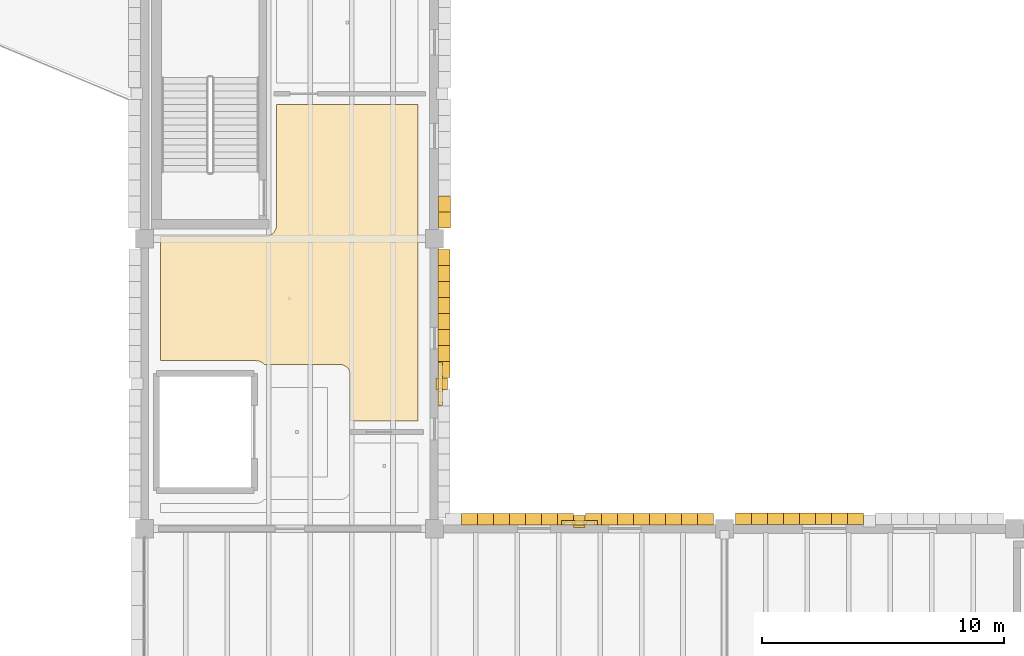
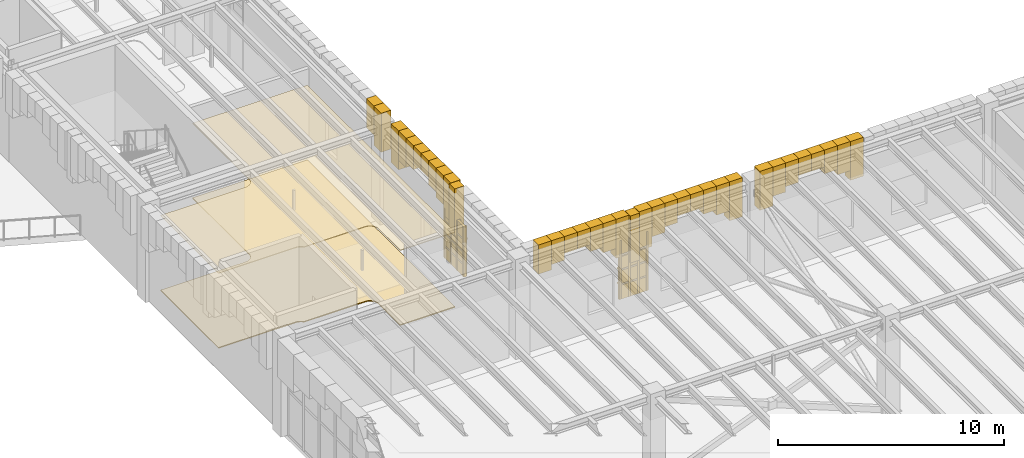
# One storey, part 94 of 103: 51 coverings, 2 shading devices.
"""IFC4 building model written with IfcOpenShell, lengths in metres."""

import ifcopenshell
import ifcopenshell.guid

model = None  # the IFC model being written
_history = None  # IfcOwnerHistory: only IFC2X3 demands one
_inside = {}  # id of a spatial element -> (the spatial element, [elements in it])
_under = {}  # id of a project, library or spatial element -> (it, [spatial elements below it])
_declared = {}  # id of a project -> (the project, [libraries it declares])
_typed = {}  # id of a type object -> (the type object, [elements of that type])
_made_of = {}  # id of a material, layer set ... -> (it, [elements and type objects made of it])


def new_model(schema):
    """Start an empty IFC model of exactly this schema.

    Asked for "IFC4X3", IfcOpenShell would pick the latest addendum, in which some entities
    have other attributes; the version numbers below select the first issue.
    IFC2X3 requires an IfcOwnerHistory on every rooted entity: one is made here for all.
    """
    global model, _history
    if schema == "IFC4X3":
        model = ifcopenshell.file(schema_version=(4, 3, 0, 0))
    else:
        model = ifcopenshell.file(schema=schema)
    _inside.clear()
    _under.clear()
    _declared.clear()
    _typed.clear()
    _made_of.clear()
    _history = None
    if model.schema == "IFC2X3":
        org = make("IfcOrganization", Name="unknown")
        user = make(
            "IfcPersonAndOrganization",
            ThePerson=make("IfcPerson", FamilyName="unknown"),
            TheOrganization=org,
        )
        app = make(
            "IfcApplication",
            ApplicationDeveloper=org,
            Version="unknown",
            ApplicationFullName="unknown",
            ApplicationIdentifier="unknown",
        )
        _history = make(
            "IfcOwnerHistory",
            OwningUser=user,
            OwningApplication=app,
            ChangeAction="ADDED",
            CreationDate=0,
        )
    return model


def make(cls, **values):
    """One entity of the class cls with the attributes given. An attribute that is None is left unset."""
    return model.create_entity(
        cls, **{name: value for name, value in values.items() if value is not None}
    )


def rooted(cls, **values):
    """An entity with a GlobalId (a new one), such as an element, a storey or a relation."""
    return make(cls, GlobalId=ifcopenshell.guid.new(), OwnerHistory=_history, **values)


def si_unit(unit_type, name, prefix=None):
    """IfcSIUnit, for example si_unit("LENGTHUNIT", "METRE", prefix="MILLI")."""
    return make("IfcSIUnit", UnitType=unit_type, Prefix=prefix, Name=name)


def assignment(units):
    """IfcUnitAssignment: the units of a project."""
    return None if units is None else make("IfcUnitAssignment", Units=units)


def point(xyz):
    """IfcCartesianPoint."""
    return None if xyz is None else make("IfcCartesianPoint", Coordinates=xyz)


def direction(xyz):
    """IfcDirection."""
    return None if xyz is None else make("IfcDirection", DirectionRatios=xyz)


def frame(location, z_axis=None, x_axis=None):
    """IfcAxis2Placement3D, a coordinate frame: its origin and axes. An axis left out is left unset."""
    return make(
        "IfcAxis2Placement3D",
        Location=point(location),
        Axis=direction(z_axis),
        RefDirection=direction(x_axis),
    )


def frame_2d(location, x_axis=None):
    """IfcAxis2Placement2D, a coordinate frame in the plane: its origin and x axis."""
    return make(
        "IfcAxis2Placement2D", Location=point(location), RefDirection=direction(x_axis)
    )


def origin():
    """The frame at (0, 0, 0) with its axes left unset."""
    return frame((0.0, 0.0, 0.0))


def origin_2d():
    """The frame at (0, 0) in the plane with its x axis left unset."""
    return frame_2d((0.0, 0.0))


def place(relative_to, where):
    """IfcLocalPlacement: puts the frame where relative to a parent placement (None: the world)."""
    return make(
        "IfcLocalPlacement", PlacementRelTo=relative_to, RelativePlacement=where
    )


def context(
    kind, dimensions, precision=None, world=None, true_north=None, identifier=None
):
    """IfcGeometricRepresentationContext, for example the 3D "Model" context."""
    return make(
        "IfcGeometricRepresentationContext",
        ContextIdentifier=identifier,
        ContextType=kind,
        CoordinateSpaceDimension=dimensions,
        Precision=precision,
        WorldCoordinateSystem=world,
        TrueNorth=true_north,
    )


def subcontext(parent, identifier, kind, view, scale=None):
    """IfcGeometricRepresentationSubContext, for example "Body" below "Model"."""
    return make(
        "IfcGeometricRepresentationSubContext",
        ContextIdentifier=identifier,
        ContextType=kind,
        ParentContext=parent,
        TargetScale=scale,
        TargetView=view,
    )


def project(units=None, contexts=None):
    """IfcProject with its units and contexts."""
    return rooted(
        "IfcProject",
        Name="project",
        RepresentationContexts=contexts,
        UnitsInContext=assignment(units),
    )


def spatial(cls, under=None, at=None, **own):
    """A site, building, storey or space (cls), placed at a placement, below another one or the project."""
    s = rooted(cls, ObjectPlacement=at, **own)
    if under is not None:
        _under.setdefault(under.id(), (under, []))[1].append(s)
    return s


def polyline(points):
    """IfcPolyline through the points."""
    return make("IfcPolyline", Points=[point(p) for p in points])


def profile(cls, at=None, kind="AREA", **sizes):
    """A parametric profile (cls). Its sizes go by their IFC names, for example OverallWidth=200.0."""
    return make(cls, ProfileType=kind, Position=at, **sizes)


def rectangle(**sizes):
    """IfcRectangleProfileDef."""
    return profile("IfcRectangleProfileDef", **sizes)


def outline(outer, holes=None, kind="AREA"):
    """IfcArbitraryClosedProfileDef: a profile drawn as a closed curve; with holes, ...WithVoids."""
    if holes is None:
        return make("IfcArbitraryClosedProfileDef", ProfileType=kind, OuterCurve=outer)
    return make(
        "IfcArbitraryProfileDefWithVoids",
        ProfileType=kind,
        OuterCurve=outer,
        InnerCurves=holes,
    )


def extrude(swept, where, along, depth):
    """IfcExtrudedAreaSolid: the profile swept, set in the frame where, extruded along a direction by depth."""
    return make(
        "IfcExtrudedAreaSolid",
        SweptArea=swept,
        Position=where,
        ExtrudedDirection=direction(along),
        Depth=depth,
    )


def shape(context_of_items, identifier, shape_type, items):
    """IfcShapeRepresentation: the items that make up one representation, for example the "Body"."""
    return make(
        "IfcShapeRepresentation",
        ContextOfItems=context_of_items,
        RepresentationIdentifier=identifier,
        RepresentationType=shape_type,
        Items=items,
    )


def material(Name=None, Category=None):
    """IfcMaterial."""
    return make("IfcMaterial", Name=Name, Category=Category)


def layer(
    of_material, thickness, ventilated=None, Name=None, Category=None, Priority=None
):
    """IfcMaterialLayer: one layer of a wall or slab, of a material (None: an air gap)."""
    return make(
        "IfcMaterialLayer",
        Material=of_material,
        LayerThickness=thickness,
        IsVentilated=ventilated,
        Name=Name,
        Category=Category,
        Priority=Priority,
    )


def layer_set(layers, Name=None):
    """IfcMaterialLayerSet."""
    return make("IfcMaterialLayerSet", MaterialLayers=layers, LayerSetName=Name)


def made_of(thing, what):
    """Note that an element or type object is made of a material, layer set ...; save() writes the relation."""
    if what is not None:
        _made_of.setdefault(what.id(), (what, []))[1].append(thing)
    return thing


def type_object(cls, material=None, **own):
    """A type object (cls), such as IfcWallType, which elements share."""
    return made_of(rooted(cls, **own), material)


def element(
    cls,
    number,
    at=None,
    inside=None,
    cuts=None,
    type_object=None,
    material=None,
    context=None,
    identifier="Body",
    shape_type=None,
    held_by="IfcProductDefinitionShape",
    body=None,
    shapes=None,
    **own,
):
    """One element of the class cls, such as IfcWall. Its Tag is "e" and its number.

    at: its placement. inside: the storey or other place that contains it. cuts: it is an
    opening in that element (IfcRelVoidsElement). A single representation is given by context,
    identifier, shape_type and body (its items); several are given by shapes. held_by: the class
    of the entity that holds the representations. save() writes the other relations.
    """
    e = rooted(cls, Tag="e%d" % number, ObjectPlacement=at, **own)
    if body is not None:
        shapes = [shape(context, identifier, shape_type, body)]
    if shapes is not None:
        e.Representation = make(held_by, Representations=shapes)
    if inside is not None:
        _inside.setdefault(inside.id(), (inside, []))[1].append(e)
    if cuts is not None:
        rooted(
            "IfcRelVoidsElement", RelatingBuildingElement=cuts, RelatedOpeningElement=e
        )
    if type_object is not None:
        _typed.setdefault(type_object.id(), (type_object, []))[1].append(e)
    return made_of(e, material)


def aggregate(whole, parts):
    """IfcRelAggregates: a whole, such as a stair, and the parts it consists of."""
    return rooted("IfcRelAggregates", RelatingObject=whole, RelatedObjects=parts)


def save(model, path):
    """Write the relations noted so far, then the file.

    IfcRelAggregates (storeys below a building ...), IfcRelContainedInSpatialStructure (elements
    in a storey), IfcRelDefinesByType, IfcRelAssociatesMaterial and IfcRelDeclares: one each for
    every whole, place, type object, material and project.
    """
    for whole, parts in _under.values():
        aggregate(whole, parts)
    for where, things in _inside.values():
        rooted(
            "IfcRelContainedInSpatialStructure",
            RelatedElements=things,
            RelatingStructure=where,
        )
    for kind, things in _typed.values():
        rooted("IfcRelDefinesByType", RelatedObjects=things, RelatingType=kind)
    for what, things in _made_of.values():
        rooted("IfcRelAssociatesMaterial", RelatedObjects=things, RelatingMaterial=what)
    for by, libraries in _declared.values():
        rooted("IfcRelDeclares", RelatingContext=by, RelatedDefinitions=libraries)
    model.write(path)


model = new_model("IFC4")

# Units and contexts
model_context = context("Model", 3, precision=1e-05, world=origin(), true_north=direction((0.0, 1.0)))
body_context = subcontext(model_context, "Body", "Model", "MODEL_VIEW")
ifc_project = project(units=[si_unit("LENGTHUNIT", "METRE"), si_unit("AREAUNIT", "SQUARE_METRE"), si_unit("VOLUMEUNIT", "CUBIC_METRE"), si_unit("PLANEANGLEUNIT", "RADIAN"), si_unit("MASSUNIT", "GRAM", prefix="KILO")], contexts=[model_context])

# Site, building, storey
site_placement = place(None, origin())
site = spatial("IfcSite", under=ifc_project, at=site_placement, CompositionType="ELEMENT")
building_placement = place(site_placement, origin())
building = spatial("IfcBuilding", under=site, at=building_placement, Name="Zlatogorsky Bluff Art Gallery", CompositionType="ELEMENT")
storey_placement = place(building_placement, origin())
storey = spatial("IfcBuildingStorey", under=building, at=storey_placement, Name="L00", CompositionType="ELEMENT", Elevation=0.0)

# Coverings
ifc_material_1 = material(Name="Perforated Gypsum Acoustic Board", Category="gypsum")
ifc_layer_1 = layer(ifc_material_1, 0.0400390625)
ifc_layer_set_1 = layer_set([ifc_layer_1], Name="Acoustic Gallery Ceiling CLG-01")
covering_type_1 = type_object("IfcCoveringType", Name="Acoustic Gallery Ceiling CLG-01", PredefinedType="CEILING", material=ifc_layer_set_1)
covering_1_placement = place(storey_placement, frame((0.0, 0.0, 4.050048828125)))
element("IfcCovering", 1, at=covering_1_placement, inside=storey, type_object=covering_type_1, Name="East Cloister Circulation Corridor acoustic ceiling", PredefinedType="CEILING", context=body_context, shape_type="SweptSolid", body=[
    extrude(outline(polyline([(120.669921875, 62.489990234375), (125.0009765625, 62.489990234375), (125.04541015625, 62.4921875), (125.08935546875, 62.498779296875), (125.09033203125, 62.498779296875), (125.099609375, 62.5009765625), (125.1005859375, 62.501220703125), (125.143798828125, 62.512939453125), (125.185791015625, 62.529296875), (125.1875, 62.530029296875), (125.22314453125, 62.5478515625), (125.22412109375, 62.54833984375), (125.25634765625, 62.568115234375), (125.28662109375, 62.59033203125), (125.2880859375, 62.591552734375), (125.3251953125, 62.624755859375), (125.3583984375, 62.661865234375), (125.359619140625, 62.663330078125), (125.382080078125, 62.693603515625), (125.401611328125, 62.725830078125), (125.402099609375, 62.726806640625), (125.419921875, 62.762451171875), (125.42041015625, 62.763427734375), (125.4208984375, 62.764404296875), (125.43701171875, 62.80615234375), (125.448974609375, 62.849609375), (125.44921875, 62.850341796875), (125.451171875, 62.859619140625), (125.451416015625, 62.860595703125), (125.457763671875, 62.90478515625), (125.4599609375, 62.948974609375), (125.4599609375, 67.949951171875), (131.330078125, 67.949951171875), (131.330078125, 54.85009765625), (128.52001953125, 54.85009765625), (128.52001953125, 56.75), (128.517822265625, 56.794189453125), (128.511474609375, 56.837890625), (128.50048828125, 56.880615234375), (128.485595703125, 56.922119140625), (128.466796875, 56.962158203125), (128.444091796875, 57.0), (128.41796875, 57.035400390625), (128.38818359375, 57.068115234375), (128.35546875, 57.097900390625), (128.320068359375, 57.124267578125), (128.281982421875, 57.14697265625), (128.2421875, 57.165771484375), (128.20068359375, 57.1806640625), (128.15771484375, 57.19140625), (128.114013671875, 57.19775390625), (128.070068359375, 57.199951171875), (124.95458984375, 57.199951171875), (124.938232421875, 57.21826171875), (124.905517578125, 57.247802734375), (124.8701171875, 57.274169921875), (124.83203125, 57.296875), (124.792236328125, 57.315673828125), (124.75048828125, 57.33056640625), (124.707763671875, 57.34130859375), (124.6640625, 57.347900390625), (124.6201171875, 57.35009765625), (120.669921875, 57.35009765625), (120.669921875, 62.489990234375)])), origin(), (0.0, 0.0, 1.0), 0.0400390625),
])
ifc_material_2 = material(Name="Honed Red Agra-Tone Quartzitic Sandstone", Category="masonry")
ifc_layer_2 = layer(ifc_material_2, 0.1201171875)
ifc_layer_set_2 = layer_set([ifc_layer_2], Name="Carved Sandstone Cladding CLD-02")
covering_type_2 = type_object("IfcCoveringType", Name="Carved Sandstone Cladding CLD-02", PredefinedType="CLADDING", material=ifc_layer_set_2)
covering_2_placement = place(storey_placement, frame((0.0, 0.0, 2.81005859375)))
element("IfcCovering", 2, at=covering_2_placement, inside=storey, type_object=covering_type_2, Name="Mughal blind-arch sandstone pilaster L00.E.10.5", PredefinedType="CLADDING", context=body_context, shape_type="SweptSolid", body=[
    extrude(outline(polyline([(132.06005859375, 56.159912109375), (132.5400390625, 56.159912109375), (132.5400390625, 56.639892578125), (132.06005859375, 56.639892578125), (132.06005859375, 56.159912109375)])), origin(), (0.0, 0.0, 1.0), 2.550048828125),
])
covering_3_placement = place(storey_placement, frame((0.0, 0.0, 3.25244140625)))
element("IfcCovering", 3, at=covering_3_placement, inside=storey, type_object=covering_type_2, Name="Pointed Mughal arch voussoir spandrel WARCH-L00-E-10-05-B.1", PredefinedType="CLADDING", context=body_context, shape_type="SweptSolid", body=[
    extrude(outline(polyline([(132.14990234375, 56.64990234375), (132.14990234375, 57.3125), (132.639892578125, 57.3125), (132.639892578125, 56.64990234375), (132.14990234375, 56.64990234375)])), origin(), (0.0, 0.0, 1.0), 2.107666015625),
])
covering_4_placement = place(storey_placement, frame((0.0, 0.0, 3.78369140625)))
element("IfcCovering", 4, at=covering_4_placement, inside=storey, type_object=covering_type_2, Name="Pointed Mughal arch voussoir spandrel WARCH-L00-E-10-05-B.2", PredefinedType="CLADDING", context=body_context, shape_type="SweptSolid", body=[
    extrude(outline(polyline([(132.14990234375, 57.3125), (132.14990234375, 57.97509765625), (132.639892578125, 57.97509765625), (132.639892578125, 57.3125), (132.14990234375, 57.3125)])), origin(), (0.0, 0.0, 1.0), 1.576416015625),
])
covering_5_placement = place(storey_placement, frame((0.0, 0.0, 4.07666015625)))
element("IfcCovering", 5, at=covering_5_placement, inside=storey, type_object=covering_type_2, Name="Pointed Mughal arch voussoir spandrel WARCH-L00-E-10-05-B.3", PredefinedType="CLADDING", context=body_context, shape_type="SweptSolid", body=[
    extrude(outline(polyline([(132.14990234375, 57.97509765625), (132.14990234375, 58.637451171875), (132.639892578125, 58.637451171875), (132.639892578125, 57.97509765625), (132.14990234375, 57.97509765625)])), origin(), (0.0, 0.0, 1.0), 1.283447265625),
])
covering_6_placement = place(storey_placement, frame((0.0, 0.0, 4.4453125)))
element("IfcCovering", 6, at=covering_6_placement, inside=storey, type_object=covering_type_2, Name="Pointed Mughal arch voussoir spandrel WARCH-L00-E-10-05-B.4", PredefinedType="CLADDING", context=body_context, shape_type="SweptSolid", body=[
    extrude(outline(polyline([(132.14990234375, 58.637451171875), (132.14990234375, 59.300048828125), (132.639892578125, 59.300048828125), (132.639892578125, 58.637451171875), (132.14990234375, 58.637451171875)])), origin(), (0.0, 0.0, 1.0), 0.914794921875),
])
covering_7_placement = place(storey_placement, frame((0.0, 0.0, 4.4453125)))
element("IfcCovering", 7, at=covering_7_placement, inside=storey, type_object=covering_type_2, Name="Pointed Mughal arch voussoir spandrel WARCH-L00-E-10-05-B.5", PredefinedType="CLADDING", context=body_context, shape_type="SweptSolid", body=[
    extrude(outline(polyline([(132.14990234375, 59.300048828125), (132.14990234375, 59.96240234375), (132.639892578125, 59.96240234375), (132.639892578125, 59.300048828125), (132.14990234375, 59.300048828125)])), origin(), (0.0, 0.0, 1.0), 0.914794921875),
])
covering_8_placement = place(storey_placement, frame((0.0, 0.0, 4.07666015625)))
element("IfcCovering", 8, at=covering_8_placement, inside=storey, type_object=covering_type_2, Name="Pointed Mughal arch voussoir spandrel WARCH-L00-E-10-05-B.6", PredefinedType="CLADDING", context=body_context, shape_type="SweptSolid", body=[
    extrude(outline(polyline([(132.14990234375, 59.96240234375), (132.14990234375, 60.625), (132.639892578125, 60.625), (132.639892578125, 59.96240234375), (132.14990234375, 59.96240234375)])), origin(), (0.0, 0.0, 1.0), 1.283447265625),
])
covering_9_placement = place(storey_placement, frame((0.0, 0.0, 3.78369140625)))
element("IfcCovering", 9, at=covering_9_placement, inside=storey, type_object=covering_type_2, Name="Pointed Mughal arch voussoir spandrel WARCH-L00-E-10-05-B.7", PredefinedType="CLADDING", context=body_context, shape_type="SweptSolid", body=[
    extrude(outline(polyline([(132.14990234375, 60.625), (132.14990234375, 61.28759765625), (132.639892578125, 61.28759765625), (132.639892578125, 60.625), (132.14990234375, 60.625)])), origin(), (0.0, 0.0, 1.0), 1.576416015625),
])
covering_10_placement = place(storey_placement, frame((0.0, 0.0, 3.25244140625)))
element("IfcCovering", 10, at=covering_10_placement, inside=storey, type_object=covering_type_2, Name="Pointed Mughal arch voussoir spandrel WARCH-L00-E-10-05-B.8", PredefinedType="CLADDING", context=body_context, shape_type="SweptSolid", body=[
    extrude(outline(polyline([(132.14990234375, 61.28759765625), (132.14990234375, 61.949951171875), (132.639892578125, 61.949951171875), (132.639892578125, 61.28759765625), (132.14990234375, 61.28759765625)])), origin(), (0.0, 0.0, 1.0), 2.107666015625),
])
covering_11_placement = place(storey_placement, frame((0.0, 0.0, 0.949951171875)))
element("IfcCovering", 11, at=covering_11_placement, inside=storey, type_object=covering_type_2, Name="Pierced sandstone jali lattice bar L00.E.10.5", PredefinedType="CLADDING", context=body_context, shape_type="SweptSolid", body=[
    extrude(outline(polyline([(132.14990234375, 55.544921875), (132.14990234375, 55.635009765625), (132.340087890625, 55.635009765625), (132.340087890625, 55.544921875), (132.14990234375, 55.544921875)])), origin(), (0.0, 0.0, 1.0), 2.699951171875),
])
covering_12_placement = place(storey_placement, frame((0.0, 0.0, 0.949951171875)))
element("IfcCovering", 12, at=covering_12_placement, inside=storey, type_object=covering_type_2, Name="Pierced sandstone jali lattice bar L00.E.10.5", PredefinedType="CLADDING", context=body_context, shape_type="SweptSolid", body=[
    extrude(outline(polyline([(132.14990234375, 56.0849609375), (132.14990234375, 56.175048828125), (132.340087890625, 56.175048828125), (132.340087890625, 56.0849609375), (132.14990234375, 56.0849609375)])), origin(), (0.0, 0.0, 1.0), 2.699951171875),
])
covering_13_placement = place(storey_placement, frame((0.0, 0.0, 0.949951171875)))
element("IfcCovering", 13, at=covering_13_placement, inside=storey, type_object=covering_type_2, Name="Pierced sandstone jali lattice bar L00.E.10.5", PredefinedType="CLADDING", context=body_context, shape_type="SweptSolid", body=[
    extrude(outline(polyline([(132.14990234375, 56.625), (132.14990234375, 56.715087890625), (132.340087890625, 56.715087890625), (132.340087890625, 56.625), (132.14990234375, 56.625)])), origin(), (0.0, 0.0, 1.0), 2.699951171875),
])
covering_14_placement = place(storey_placement, frame((0.0, 0.0, 0.949951171875)))
element("IfcCovering", 14, at=covering_14_placement, inside=storey, type_object=covering_type_2, Name="Pierced sandstone jali lattice bar L00.E.10.5", PredefinedType="CLADDING", context=body_context, shape_type="SweptSolid", body=[
    extrude(outline(polyline([(132.14990234375, 57.1650390625), (132.14990234375, 57.2548828125), (132.340087890625, 57.2548828125), (132.340087890625, 57.1650390625), (132.14990234375, 57.1650390625)])), origin(), (0.0, 0.0, 1.0), 2.699951171875),
])
for number, where, name in (
    (15, (0.0, 0.0, 1.5849609375), "Pierced sandstone jali lattice transom L00.E.10.5"),
    (16, (0.0, 0.0, 2.260009765625), "Pierced sandstone jali lattice transom L00.E.10.5"),
):
    element("IfcCovering", number, at=place(storey_placement, frame(where)), inside=storey, type_object=covering_type_2, Name=name, PredefinedType="CLADDING", context=body_context, shape_type="SweptSolid", body=[
        extrude(outline(polyline([(132.14990234375, 55.5), (132.14990234375, 57.300048828125), (132.340087890625, 57.300048828125), (132.340087890625, 55.5), (132.14990234375, 55.5)])), origin(), (0.0, 0.0, 1.0), 0.080078125),
    ])
covering_15_placement = place(storey_placement, frame((0.0, 0.0, 2.93505859375)))
element("IfcCovering", 17, at=covering_15_placement, inside=storey, type_object=covering_type_2, Name="Pierced sandstone jali lattice transom L00.E.10.5", PredefinedType="CLADDING", context=body_context, shape_type="SweptSolid", body=[
    extrude(outline(polyline([(132.14990234375, 55.5), (132.14990234375, 57.300048828125), (132.340087890625, 57.300048828125), (132.340087890625, 55.5), (132.14990234375, 55.5)])), origin(), (0.0, 0.0, 1.0), 0.079833984375),
])
covering_16_placement = place(storey_placement, frame((0.0, 0.0, 3.25244140625)))
element("IfcCovering", 18, at=covering_16_placement, inside=storey, type_object=covering_type_2, Name="Pointed Mughal arch voussoir spandrel WARCH-L00-E-10-06-A.1", PredefinedType="CLADDING", context=body_context, shape_type="SweptSolid", body=[
    extrude(outline(polyline([(132.169921875, 62.85009765625), (132.169921875, 63.512451171875), (132.659912109375, 63.512451171875), (132.659912109375, 62.85009765625), (132.169921875, 62.85009765625)])), origin(), (0.0, 0.0, 1.0), 2.107666015625),
])
covering_17_placement = place(storey_placement, frame((0.0, 0.0, 3.78369140625)))
element("IfcCovering", 19, at=covering_17_placement, inside=storey, type_object=covering_type_2, Name="Pointed Mughal arch voussoir spandrel WARCH-L00-E-10-06-A.2", PredefinedType="CLADDING", context=body_context, shape_type="SweptSolid", body=[
    extrude(outline(polyline([(132.169921875, 63.512451171875), (132.169921875, 64.175048828125), (132.659912109375, 64.175048828125), (132.659912109375, 63.512451171875), (132.169921875, 63.512451171875)])), origin(), (0.0, 0.0, 1.0), 1.576416015625),
])
covering_18_placement = place(storey_placement, frame((0.0, 0.0, 2.81005859375)))
element("IfcCovering", 20, at=covering_18_placement, inside=storey, type_object=covering_type_2, Name="Mughal blind-arch sandstone pilaster L00.N.11.4", PredefinedType="CLADDING", context=body_context, shape_type="SweptSolid", body=[
    extrude(outline(polyline([(137.760009765625, 50.4599609375), (138.239990234375, 50.4599609375), (138.239990234375, 50.93994140625), (137.760009765625, 50.93994140625), (137.760009765625, 50.4599609375)])), origin(), (0.0, 0.0, 1.0), 2.550048828125),
])
covering_19_placement = place(storey_placement, frame((0.0, 0.0, 3.78369140625)))
element("IfcCovering", 21, at=covering_19_placement, inside=storey, type_object=covering_type_2, Name="Pointed Mughal arch voussoir spandrel WARCH-L00-N-11-04-A.2", PredefinedType="CLADDING", context=body_context, shape_type="SweptSolid", body=[
    extrude(outline(polyline([(133.112548828125, 50.550048828125), (133.77490234375, 50.550048828125), (133.77490234375, 51.0400390625), (133.112548828125, 51.0400390625), (133.112548828125, 50.550048828125)])), origin(), (0.0, 0.0, 1.0), 1.576416015625),
])
covering_20_placement = place(storey_placement, frame((0.0, 0.0, 4.07666015625)))
element("IfcCovering", 22, at=covering_20_placement, inside=storey, type_object=covering_type_2, Name="Pointed Mughal arch voussoir spandrel WARCH-L00-N-11-04-A.3", PredefinedType="CLADDING", context=body_context, shape_type="SweptSolid", body=[
    extrude(outline(polyline([(133.77490234375, 50.550048828125), (134.4375, 50.550048828125), (134.4375, 51.0400390625), (133.77490234375, 51.0400390625), (133.77490234375, 50.550048828125)])), origin(), (0.0, 0.0, 1.0), 1.283447265625),
])
covering_21_placement = place(storey_placement, frame((0.0, 0.0, 4.4453125)))
element("IfcCovering", 23, at=covering_21_placement, inside=storey, type_object=covering_type_2, Name="Pointed Mughal arch voussoir spandrel WARCH-L00-N-11-04-A.4", PredefinedType="CLADDING", context=body_context, shape_type="SweptSolid", body=[
    extrude(outline(polyline([(134.4375, 50.550048828125), (135.10009765625, 50.550048828125), (135.10009765625, 51.0400390625), (134.4375, 51.0400390625), (134.4375, 50.550048828125)])), origin(), (0.0, 0.0, 1.0), 0.914794921875),
])
covering_22_placement = place(storey_placement, frame((0.0, 0.0, 4.4453125)))
element("IfcCovering", 24, at=covering_22_placement, inside=storey, type_object=covering_type_2, Name="Pointed Mughal arch voussoir spandrel WARCH-L00-N-11-04-A.5", PredefinedType="CLADDING", context=body_context, shape_type="SweptSolid", body=[
    extrude(outline(polyline([(135.10009765625, 50.550048828125), (135.762451171875, 50.550048828125), (135.762451171875, 51.0400390625), (135.10009765625, 51.0400390625), (135.10009765625, 50.550048828125)])), origin(), (0.0, 0.0, 1.0), 0.914794921875),
])
covering_23_placement = place(storey_placement, frame((0.0, 0.0, 4.07666015625)))
element("IfcCovering", 25, at=covering_23_placement, inside=storey, type_object=covering_type_2, Name="Pointed Mughal arch voussoir spandrel WARCH-L00-N-11-04-A.6", PredefinedType="CLADDING", context=body_context, shape_type="SweptSolid", body=[
    extrude(outline(polyline([(135.762451171875, 50.550048828125), (136.425048828125, 50.550048828125), (136.425048828125, 51.0400390625), (135.762451171875, 51.0400390625), (135.762451171875, 50.550048828125)])), origin(), (0.0, 0.0, 1.0), 1.283447265625),
])
covering_24_placement = place(storey_placement, frame((0.0, 0.0, 3.78369140625)))
element("IfcCovering", 26, at=covering_24_placement, inside=storey, type_object=covering_type_2, Name="Pointed Mughal arch voussoir spandrel WARCH-L00-N-11-04-A.7", PredefinedType="CLADDING", context=body_context, shape_type="SweptSolid", body=[
    extrude(outline(polyline([(136.425048828125, 50.550048828125), (137.08740234375, 50.550048828125), (137.08740234375, 51.0400390625), (136.425048828125, 51.0400390625), (136.425048828125, 50.550048828125)])), origin(), (0.0, 0.0, 1.0), 1.576416015625),
])
covering_25_placement = place(storey_placement, frame((0.0, 0.0, 3.25244140625)))
element("IfcCovering", 27, at=covering_25_placement, inside=storey, type_object=covering_type_2, Name="Pointed Mughal arch voussoir spandrel WARCH-L00-N-11-04-A.8", PredefinedType="CLADDING", context=body_context, shape_type="SweptSolid", body=[
    extrude(outline(polyline([(137.08740234375, 50.550048828125), (137.75, 50.550048828125), (137.75, 51.0400390625), (137.08740234375, 51.0400390625), (137.08740234375, 50.550048828125)])), origin(), (0.0, 0.0, 1.0), 2.107666015625),
])
covering_26_placement = place(storey_placement, frame((0.0, 0.0, 3.25244140625)))
element("IfcCovering", 28, at=covering_26_placement, inside=storey, type_object=covering_type_2, Name="Pointed Mughal arch voussoir spandrel WARCH-L00-N-11-04-B.1", PredefinedType="CLADDING", context=body_context, shape_type="SweptSolid", body=[
    extrude(outline(polyline([(138.25, 50.550048828125), (138.91259765625, 50.550048828125), (138.91259765625, 51.0400390625), (138.25, 51.0400390625), (138.25, 50.550048828125)])), origin(), (0.0, 0.0, 1.0), 2.107666015625),
])
covering_27_placement = place(storey_placement, frame((0.0, 0.0, 3.78369140625)))
element("IfcCovering", 29, at=covering_27_placement, inside=storey, type_object=covering_type_2, Name="Pointed Mughal arch voussoir spandrel WARCH-L00-N-11-04-B.2", PredefinedType="CLADDING", context=body_context, shape_type="SweptSolid", body=[
    extrude(outline(polyline([(138.91259765625, 50.550048828125), (139.574951171875, 50.550048828125), (139.574951171875, 51.0400390625), (138.91259765625, 51.0400390625), (138.91259765625, 50.550048828125)])), origin(), (0.0, 0.0, 1.0), 1.576416015625),
])
covering_28_placement = place(storey_placement, frame((0.0, 0.0, 4.07666015625)))
element("IfcCovering", 30, at=covering_28_placement, inside=storey, type_object=covering_type_2, Name="Pointed Mughal arch voussoir spandrel WARCH-L00-N-11-04-B.3", PredefinedType="CLADDING", context=body_context, shape_type="SweptSolid", body=[
    extrude(outline(polyline([(139.574951171875, 50.550048828125), (140.237548828125, 50.550048828125), (140.237548828125, 51.0400390625), (139.574951171875, 51.0400390625), (139.574951171875, 50.550048828125)])), origin(), (0.0, 0.0, 1.0), 1.283447265625),
])
covering_29_placement = place(storey_placement, frame((0.0, 0.0, 4.4453125)))
element("IfcCovering", 31, at=covering_29_placement, inside=storey, type_object=covering_type_2, Name="Pointed Mughal arch voussoir spandrel WARCH-L00-N-11-04-B.4", PredefinedType="CLADDING", context=body_context, shape_type="SweptSolid", body=[
    extrude(outline(polyline([(140.237548828125, 50.550048828125), (140.89990234375, 50.550048828125), (140.89990234375, 51.0400390625), (140.237548828125, 51.0400390625), (140.237548828125, 50.550048828125)])), origin(), (0.0, 0.0, 1.0), 0.914794921875),
])
covering_30_placement = place(storey_placement, frame((0.0, 0.0, 4.4453125)))
element("IfcCovering", 32, at=covering_30_placement, inside=storey, type_object=covering_type_2, Name="Pointed Mughal arch voussoir spandrel WARCH-L00-N-11-04-B.5", PredefinedType="CLADDING", context=body_context, shape_type="SweptSolid", body=[
    extrude(outline(polyline([(140.89990234375, 50.550048828125), (141.5625, 50.550048828125), (141.5625, 51.0400390625), (140.89990234375, 51.0400390625), (140.89990234375, 50.550048828125)])), origin(), (0.0, 0.0, 1.0), 0.914794921875),
])
covering_31_placement = place(storey_placement, frame((0.0, 0.0, 4.07666015625)))
element("IfcCovering", 33, at=covering_31_placement, inside=storey, type_object=covering_type_2, Name="Pointed Mughal arch voussoir spandrel WARCH-L00-N-11-04-B.6", PredefinedType="CLADDING", context=body_context, shape_type="SweptSolid", body=[
    extrude(outline(polyline([(141.5625, 50.550048828125), (142.22509765625, 50.550048828125), (142.22509765625, 51.0400390625), (141.5625, 51.0400390625), (141.5625, 50.550048828125)])), origin(), (0.0, 0.0, 1.0), 1.283447265625),
])
covering_32_placement = place(storey_placement, frame((0.0, 0.0, 3.78369140625)))
element("IfcCovering", 34, at=covering_32_placement, inside=storey, type_object=covering_type_2, Name="Pointed Mughal arch voussoir spandrel WARCH-L00-N-11-04-B.7", PredefinedType="CLADDING", context=body_context, shape_type="SweptSolid", body=[
    extrude(outline(polyline([(142.22509765625, 50.550048828125), (142.887451171875, 50.550048828125), (142.887451171875, 51.0400390625), (142.22509765625, 51.0400390625), (142.22509765625, 50.550048828125)])), origin(), (0.0, 0.0, 1.0), 1.576416015625),
])
covering_33_placement = place(storey_placement, frame((0.0, 0.0, 3.25244140625)))
element("IfcCovering", 35, at=covering_33_placement, inside=storey, type_object=covering_type_2, Name="Pointed Mughal arch voussoir spandrel WARCH-L00-N-11-04-B.8", PredefinedType="CLADDING", context=body_context, shape_type="SweptSolid", body=[
    extrude(outline(polyline([(142.887451171875, 50.550048828125), (143.550048828125, 50.550048828125), (143.550048828125, 51.0400390625), (142.887451171875, 51.0400390625), (142.887451171875, 50.550048828125)])), origin(), (0.0, 0.0, 1.0), 2.107666015625),
])
covering_34_placement = place(storey_placement, frame((0.0, 0.0, 0.949951171875)))
element("IfcCovering", 36, at=covering_34_placement, inside=storey, type_object=covering_type_2, Name="Pierced sandstone jali lattice bar L00.N.11.4", PredefinedType="CLADDING", context=body_context, shape_type="SweptSolid", body=[
    extrude(outline(polyline([(137.280029296875, 50.550048828125), (137.3701171875, 50.550048828125), (137.3701171875, 50.739990234375), (137.280029296875, 50.739990234375), (137.280029296875, 50.550048828125)])), origin(), (0.0, 0.0, 1.0), 3.199951171875),
])
covering_35_placement = place(storey_placement, frame((0.0, 0.0, 0.949951171875)))
element("IfcCovering", 37, at=covering_35_placement, inside=storey, type_object=covering_type_2, Name="Pierced sandstone jali lattice bar L00.N.11.4", PredefinedType="CLADDING", context=body_context, shape_type="SweptSolid", body=[
    extrude(outline(polyline([(137.72998046875, 50.550048828125), (137.820068359375, 50.550048828125), (137.820068359375, 50.739990234375), (137.72998046875, 50.739990234375), (137.72998046875, 50.550048828125)])), origin(), (0.0, 0.0, 1.0), 3.199951171875),
])
covering_36_placement = place(storey_placement, frame((0.0, 0.0, 0.949951171875)))
element("IfcCovering", 38, at=covering_36_placement, inside=storey, type_object=covering_type_2, Name="Pierced sandstone jali lattice bar L00.N.11.4", PredefinedType="CLADDING", context=body_context, shape_type="SweptSolid", body=[
    extrude(outline(polyline([(138.179931640625, 50.550048828125), (138.27001953125, 50.550048828125), (138.27001953125, 50.739990234375), (138.179931640625, 50.739990234375), (138.179931640625, 50.550048828125)])), origin(), (0.0, 0.0, 1.0), 3.199951171875),
])
covering_37_placement = place(storey_placement, frame((0.0, 0.0, 0.949951171875)))
element("IfcCovering", 39, at=covering_37_placement, inside=storey, type_object=covering_type_2, Name="Pierced sandstone jali lattice bar L00.N.11.4", PredefinedType="CLADDING", context=body_context, shape_type="SweptSolid", body=[
    extrude(outline(polyline([(138.6298828125, 50.550048828125), (138.719970703125, 50.550048828125), (138.719970703125, 50.739990234375), (138.6298828125, 50.739990234375), (138.6298828125, 50.550048828125)])), origin(), (0.0, 0.0, 1.0), 3.199951171875),
])
for number, where, name in (
    (40, (0.0, 0.0, 1.7099609375), "Pierced sandstone jali lattice transom L00.N.11.4"),
    (41, (0.0, 0.0, 2.510009765625), "Pierced sandstone jali lattice transom L00.N.11.4"),
):
    element("IfcCovering", number, at=place(storey_placement, frame(where)), inside=storey, type_object=covering_type_2, Name=name, PredefinedType="CLADDING", context=body_context, shape_type="SweptSolid", body=[
        extrude(outline(polyline([(137.25, 50.550048828125), (138.75, 50.550048828125), (138.75, 50.739990234375), (137.25, 50.739990234375), (137.25, 50.550048828125)])), origin(), (0.0, 0.0, 1.0), 0.080078125),
    ])
covering_38_placement = place(storey_placement, frame((0.0, 0.0, 3.31005859375)))
element("IfcCovering", 42, at=covering_38_placement, inside=storey, type_object=covering_type_2, Name="Pierced sandstone jali lattice transom L00.N.11.4", PredefinedType="CLADDING", context=body_context, shape_type="SweptSolid", body=[
    extrude(outline(polyline([(137.25, 50.550048828125), (138.75, 50.550048828125), (138.75, 50.739990234375), (137.25, 50.739990234375), (137.25, 50.550048828125)])), origin(), (0.0, 0.0, 1.0), 0.079833984375),
])
covering_39_placement = place(storey_placement, frame((0.0, 0.0, 3.25244140625)))
element("IfcCovering", 43, at=covering_39_placement, inside=storey, type_object=covering_type_2, Name="Pointed Mughal arch voussoir spandrel WARCH-L00-N-12-04-A.1", PredefinedType="CLADDING", context=body_context, shape_type="SweptSolid", body=[
    extrude(outline(polyline([(144.449951171875, 50.570068359375), (145.112548828125, 50.570068359375), (145.112548828125, 51.06005859375), (144.449951171875, 51.06005859375), (144.449951171875, 50.570068359375)])), origin(), (0.0, 0.0, 1.0), 2.107666015625),
])
covering_40_placement = place(storey_placement, frame((0.0, 0.0, 3.78369140625)))
element("IfcCovering", 44, at=covering_40_placement, inside=storey, type_object=covering_type_2, Name="Pointed Mughal arch voussoir spandrel WARCH-L00-N-12-04-A.2", PredefinedType="CLADDING", context=body_context, shape_type="SweptSolid", body=[
    extrude(outline(polyline([(145.112548828125, 50.570068359375), (145.77490234375, 50.570068359375), (145.77490234375, 51.06005859375), (145.112548828125, 51.06005859375), (145.112548828125, 50.570068359375)])), origin(), (0.0, 0.0, 1.0), 1.576416015625),
])
covering_41_placement = place(storey_placement, frame((0.0, 0.0, 4.07666015625)))
element("IfcCovering", 45, at=covering_41_placement, inside=storey, type_object=covering_type_2, Name="Pointed Mughal arch voussoir spandrel WARCH-L00-N-12-04-A.3", PredefinedType="CLADDING", context=body_context, shape_type="SweptSolid", body=[
    extrude(outline(polyline([(145.77490234375, 50.570068359375), (146.4375, 50.570068359375), (146.4375, 51.06005859375), (145.77490234375, 51.06005859375), (145.77490234375, 50.570068359375)])), origin(), (0.0, 0.0, 1.0), 1.283447265625),
])
covering_42_placement = place(storey_placement, frame((0.0, 0.0, 4.4453125)))
element("IfcCovering", 46, at=covering_42_placement, inside=storey, type_object=covering_type_2, Name="Pointed Mughal arch voussoir spandrel WARCH-L00-N-12-04-A.4", PredefinedType="CLADDING", context=body_context, shape_type="SweptSolid", body=[
    extrude(outline(polyline([(146.4375, 50.570068359375), (147.10009765625, 50.570068359375), (147.10009765625, 51.06005859375), (146.4375, 51.06005859375), (146.4375, 50.570068359375)])), origin(), (0.0, 0.0, 1.0), 0.914794921875),
])
covering_43_placement = place(storey_placement, frame((0.0, 0.0, 4.4453125)))
element("IfcCovering", 47, at=covering_43_placement, inside=storey, type_object=covering_type_2, Name="Pointed Mughal arch voussoir spandrel WARCH-L00-N-12-04-A.5", PredefinedType="CLADDING", context=body_context, shape_type="SweptSolid", body=[
    extrude(outline(polyline([(147.10009765625, 50.570068359375), (147.762451171875, 50.570068359375), (147.762451171875, 51.06005859375), (147.10009765625, 51.06005859375), (147.10009765625, 50.570068359375)])), origin(), (0.0, 0.0, 1.0), 0.914794921875),
])
covering_44_placement = place(storey_placement, frame((0.0, 0.0, 4.07666015625)))
element("IfcCovering", 48, at=covering_44_placement, inside=storey, type_object=covering_type_2, Name="Pointed Mughal arch voussoir spandrel WARCH-L00-N-12-04-A.6", PredefinedType="CLADDING", context=body_context, shape_type="SweptSolid", body=[
    extrude(outline(polyline([(147.762451171875, 50.570068359375), (148.425048828125, 50.570068359375), (148.425048828125, 51.06005859375), (147.762451171875, 51.06005859375), (147.762451171875, 50.570068359375)])), origin(), (0.0, 0.0, 1.0), 1.283447265625),
])
covering_45_placement = place(storey_placement, frame((0.0, 0.0, 3.78369140625)))
element("IfcCovering", 49, at=covering_45_placement, inside=storey, type_object=covering_type_2, Name="Pointed Mughal arch voussoir spandrel WARCH-L00-N-12-04-A.7", PredefinedType="CLADDING", context=body_context, shape_type="SweptSolid", body=[
    extrude(outline(polyline([(148.425048828125, 50.570068359375), (149.08740234375, 50.570068359375), (149.08740234375, 51.06005859375), (148.425048828125, 51.06005859375), (148.425048828125, 50.570068359375)])), origin(), (0.0, 0.0, 1.0), 1.576416015625),
])
covering_46_placement = place(storey_placement, frame((0.0, 0.0, 3.25244140625)))
element("IfcCovering", 50, at=covering_46_placement, inside=storey, type_object=covering_type_2, Name="Pointed Mughal arch voussoir spandrel WARCH-L00-N-12-04-A.8", PredefinedType="CLADDING", context=body_context, shape_type="SweptSolid", body=[
    extrude(outline(polyline([(149.08740234375, 50.570068359375), (149.75, 50.570068359375), (149.75, 51.06005859375), (149.08740234375, 51.06005859375), (149.08740234375, 50.570068359375)])), origin(), (0.0, 0.0, 1.0), 2.107666015625),
])

# Shading devices
ifc_material_3 = material(Name="CNC-Pierced Red Quartzitic Sandstone Jali", Category="masonry")
shading_device_type_1 = type_object("IfcShadingDeviceType", Name="Pierced Stone Jali Screen JAL-02", PredefinedType="JALOUSIE", material=ifc_material_3)
shading_device_1_placement = place(storey_placement, frame((132.219970703125, 56.39990234375, 0.9501953125), z_axis=(0.0, 0.0, 1.0), x_axis=(1.0, 0.0, 0.0)))
element("IfcShadingDevice", 51, at=shading_device_1_placement, inside=storey, type_object=shading_device_type_1, Name="Pierced stone jali screen JAL-02", PredefinedType="JALOUSIE", context=body_context, shape_type="SweptSolid", body=[
    extrude(rectangle(XDim=0.1201171875, YDim=1.800048828125, at=origin_2d()), origin(), (0.0, 0.0, 1.0), 2.699951171875),
])
shading_device_type_2 = type_object("IfcShadingDeviceType", Name="Pierced Stone Jali Screen JAL-04", PredefinedType="JALOUSIE", material=ifc_material_3)
shading_device_2_placement = place(storey_placement, frame((138.0, 50.6201171875, 0.9501953125), z_axis=(0.0, 0.0, 1.0), x_axis=(1.0, 0.0, 0.0)))
element("IfcShadingDevice", 52, at=shading_device_2_placement, inside=storey, type_object=shading_device_type_2, Name="Pierced stone jali screen JAL-04", PredefinedType="JALOUSIE", context=body_context, shape_type="SweptSolid", body=[
    extrude(rectangle(XDim=1.5, YDim=0.1201171875, at=origin_2d()), origin(), (0.0, 0.0, 1.0), 3.199951171875),
])

# Covering
ifc_material_4 = material(Name="Polished Ural Marble Terrazzo", Category="masonry")
ifc_layer_3 = layer(ifc_material_4, 0.050048828125)
ifc_layer_set_3 = layer_set([ifc_layer_3], Name="Terrazzo Gallery Flooring FLR-01")
covering_type_3 = type_object("IfcCoveringType", Name="Terrazzo Gallery Flooring FLR-01", PredefinedType="FLOORING", material=ifc_layer_set_3)
covering_47_placement = place(storey_placement, origin())
element("IfcCovering", 53, at=covering_47_placement, inside=storey, type_object=covering_type_3, Name="East Cloister Circulation Corridor terrazzo floor finish", PredefinedType="FLOORING", context=body_context, shape_type="SweptSolid", body=[
    extrude(outline(polyline([(120.669921875, 62.489990234375), (125.0009765625, 62.489990234375), (125.04541015625, 62.4921875), (125.08935546875, 62.498779296875), (125.09033203125, 62.498779296875), (125.099609375, 62.5009765625), (125.1005859375, 62.501220703125), (125.143798828125, 62.512939453125), (125.185791015625, 62.529296875), (125.1875, 62.530029296875), (125.22314453125, 62.5478515625), (125.22412109375, 62.54833984375), (125.25634765625, 62.568115234375), (125.28662109375, 62.59033203125), (125.2880859375, 62.591552734375), (125.3251953125, 62.624755859375), (125.3583984375, 62.661865234375), (125.359619140625, 62.663330078125), (125.382080078125, 62.693603515625), (125.401611328125, 62.725830078125), (125.402099609375, 62.726806640625), (125.419921875, 62.762451171875), (125.42041015625, 62.763427734375), (125.4208984375, 62.764404296875), (125.43701171875, 62.80615234375), (125.448974609375, 62.849609375), (125.44921875, 62.850341796875), (125.451171875, 62.859619140625), (125.451416015625, 62.860595703125), (125.457763671875, 62.90478515625), (125.4599609375, 62.948974609375), (125.4599609375, 67.949951171875), (131.330078125, 67.949951171875), (131.330078125, 54.85009765625), (128.52001953125, 54.85009765625), (128.52001953125, 56.75), (128.517822265625, 56.794189453125), (128.511474609375, 56.837890625), (128.50048828125, 56.880615234375), (128.485595703125, 56.922119140625), (128.466796875, 56.962158203125), (128.444091796875, 57.0), (128.41796875, 57.035400390625), (128.38818359375, 57.068115234375), (128.35546875, 57.097900390625), (128.320068359375, 57.124267578125), (128.281982421875, 57.14697265625), (128.2421875, 57.165771484375), (128.20068359375, 57.1806640625), (128.15771484375, 57.19140625), (128.114013671875, 57.19775390625), (128.070068359375, 57.199951171875), (124.95458984375, 57.199951171875), (124.938232421875, 57.21826171875), (124.905517578125, 57.247802734375), (124.8701171875, 57.274169921875), (124.83203125, 57.296875), (124.792236328125, 57.315673828125), (124.75048828125, 57.33056640625), (124.707763671875, 57.34130859375), (124.6640625, 57.347900390625), (124.6201171875, 57.35009765625), (120.669921875, 57.35009765625), (120.669921875, 62.489990234375)])), origin(), (0.0, 0.0, 1.0), 0.050048828125),
])

save(model, "model.ifc")
